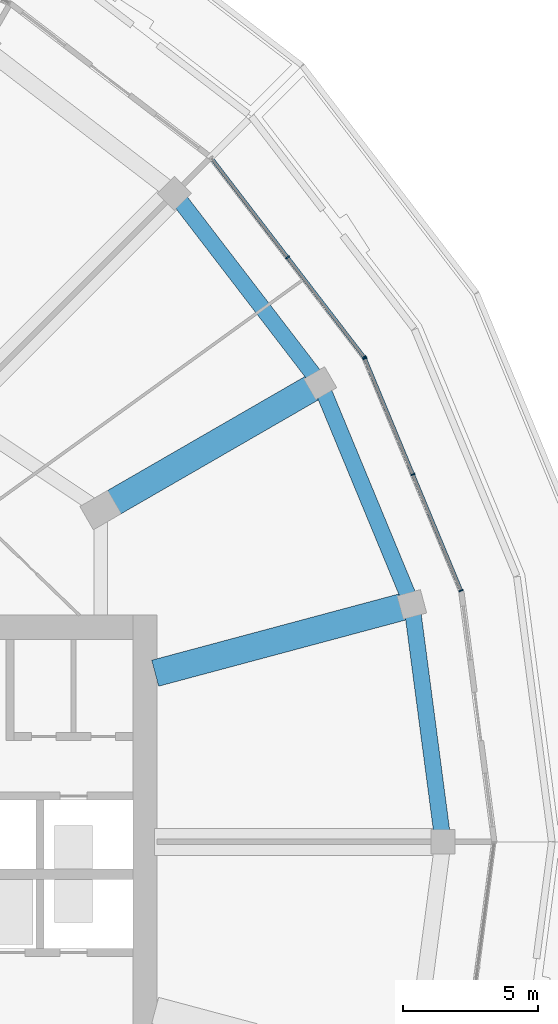
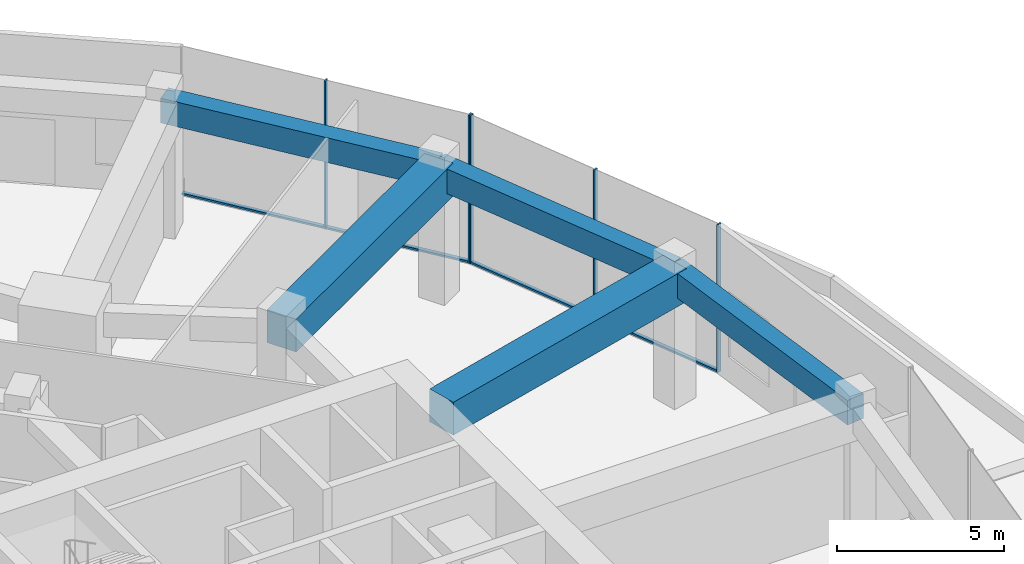
# One storey, part 11 of 26: 9 members, 5 beams, 2 elements without a shape of their own.
"""IFC4 building model written with IfcOpenShell, lengths in metres."""

from ifc_helpers import new_model, si_unit, direction, frame, origin, origin_2d, place, context, subcontext, project, spatial, rectangle, extrude, material, layer, layer_set, material_profile, profile_set, type_object, element, aggregate, save


model = new_model("IFC4")

# Units and contexts
model_context = context("Model", 3, precision=1e-05, world=origin(), true_north=direction((0.0, 1.0)))
body_context = subcontext(model_context, "Body", "Model", "MODEL_VIEW")
ifc_project = project(units=[si_unit("LENGTHUNIT", "METRE"), si_unit("AREAUNIT", "SQUARE_METRE"), si_unit("VOLUMEUNIT", "CUBIC_METRE"), si_unit("PLANEANGLEUNIT", "RADIAN"), si_unit("MASSUNIT", "GRAM", prefix="KILO")], contexts=[model_context])

# Site, building, storey
site_placement = place(None, origin())
site = spatial("IfcSite", under=ifc_project, at=site_placement, CompositionType="ELEMENT")
building_placement = place(site_placement, origin())
building = spatial("IfcBuilding", under=site, at=building_placement, Name="Torre Brocal", CompositionType="ELEMENT")
storey_placement = place(building_placement, frame((0.0, 0.0, 12.39990234375)))
storey = spatial("IfcBuildingStorey", under=building, at=storey_placement, Name="L02", CompositionType="ELEMENT", Elevation=12.39990234375)

# Curtain wall, members
ifc_material_1 = material(Name="Aluminium and glass", Category="aluminium")
ifc_layer = layer(ifc_material_1, 0.199951171875)
ifc_layer_set = layer_set([ifc_layer], Name="Aluminium and glass")
curtain_wall_type = type_object("IfcCurtainWallType", Name="CW-6 CURTAIN WALL 5400 HIGH", PredefinedType="NOTDEFINED", material=ifc_layer_set)
curtain_wall_1_placement = place(storey_placement, origin())
curtain_wall_1 = element("IfcCurtainWall", 1, at=curtain_wall_1_placement, inside=storey, type_object=curtain_wall_type, Name="CW-6 RUN 2", PredefinedType="NOTDEFINED")
ifc_material_2 = material(Name="Aluminium, dark anodised", Category="aluminium")
ifc_material_profile_1 = material_profile(ifc_material_2, rectangle(XDim=0.159912109375, YDim=0.050048828125, at=origin_2d()), Name="CW-6 MULLION 50X160")
ifc_profile_set_1 = profile_set([ifc_material_profile_1], Name="Aluminium, dark anodised")
member_type_1 = type_object("IfcMemberType", Name="CW-6 MULLION 50X160", PredefinedType="MULLION", material=ifc_profile_set_1)
member_1_placement = place(storey_placement, frame((114.666259765625, 84.314453125, 0.0), z_axis=(0.0, 0.0, 1.0), x_axis=(-0.923879532525, -0.382683432333, 0.0)))
member_1 = element("IfcMember", 2, at=member_1_placement, type_object=member_type_1, Name="CW6-1 mullion 1", PredefinedType="MULLION", context=body_context, shape_type="SweptSolid", body=[
    extrude(rectangle(XDim=0.159912109375, YDim=0.050048828125, at=origin_2d()), origin(), (0.0, 0.0, 1.0), 5.400146484375),
])
member_2_placement = place(storey_placement, frame((112.8828125, 88.620361328125, 0.0), z_axis=(0.0, 0.0, 1.0), x_axis=(-0.923879532525, -0.382683432333, 0.0)))
member_2 = element("IfcMember", 3, at=member_2_placement, type_object=member_type_1, Name="CW6-1 mullion 2", PredefinedType="MULLION", context=body_context, shape_type="SweptSolid", body=[
    extrude(rectangle(XDim=0.159912109375, YDim=0.050048828125, at=origin_2d()), origin(), (0.0, 0.0, 1.0), 5.400146484375),
])
member_3_placement = place(storey_placement, frame((111.09912109375, 92.926513671875, 0.0), z_axis=(0.0, 0.0, 1.0), x_axis=(-0.923879532525, -0.382683432333, 0.0)))
member_3 = element("IfcMember", 4, at=member_3_placement, type_object=member_type_1, Name="CW6-1 mullion 3", PredefinedType="MULLION", context=body_context, shape_type="SweptSolid", body=[
    extrude(rectangle(XDim=0.159912109375, YDim=0.050048828125, at=origin_2d()), origin(), (0.0, 0.0, 1.0), 5.400146484375),
])

curtain_wall_2_placement = place(storey_placement, origin())
curtain_wall_2 = element("IfcCurtainWall", 5, at=curtain_wall_2_placement, inside=storey, type_object=curtain_wall_type, Name="CW-6 RUN 3", PredefinedType="NOTDEFINED")
member_4_placement = place(storey_placement, frame((111.074462890625, 92.969482421875, 0.0), z_axis=(0.0, 0.0, 1.0), x_axis=(-0.793353340291, -0.608761429009, 0.0)))
member_4 = element("IfcMember", 6, at=member_4_placement, type_object=member_type_1, Name="CW6-1 mullion 1", PredefinedType="MULLION", context=body_context, shape_type="SweptSolid", body=[
    extrude(rectangle(XDim=0.159912109375, YDim=0.050048828125, at=origin_2d()), origin(), (0.0, 0.0, 1.0), 5.400146484375),
])
member_5_placement = place(storey_placement, frame((108.237060546875, 96.6669921875, 0.0), z_axis=(0.0, 0.0, 1.0), x_axis=(-0.793353340291, -0.608761429009, 0.0)))
member_5 = element("IfcMember", 7, at=member_5_placement, type_object=member_type_1, Name="CW6-1 mullion 2", PredefinedType="MULLION", context=body_context, shape_type="SweptSolid", body=[
    extrude(rectangle(XDim=0.159912109375, YDim=0.050048828125, at=origin_2d()), origin(), (0.0, 0.0, 1.0), 5.400146484375),
])

# Member
ifc_material_3 = material(Name="Aluminium, dark anodised", Category="aluminium")
ifc_material_profile_2 = material_profile(ifc_material_3, rectangle(XDim=0.1298828125, YDim=0.070068359375, at=origin_2d()), Name="CW-6 TRANSOM 130X70")
ifc_profile_set_2 = profile_set([ifc_material_profile_2], Name="Aluminium, dark anodised")
member_type_2 = type_object("IfcMemberType", Name="CW-6 TRANSOM 130X70", PredefinedType="USERDEFINED", material=ifc_profile_set_2)
member_6_placement = place(storey_placement, frame((114.65673828125, 84.337646484375, 0.03515625), z_axis=(-0.382674472816, 0.923883243627, 0.0), x_axis=(-0.923883243627, -0.382674472816, 0.0)))
member_6 = element("IfcMember", 8, at=member_6_placement, type_object=member_type_2, Name="CW6-1 transom 1.1", ObjectType="TRANSOM", PredefinedType="USERDEFINED", context=body_context, shape_type="SweptSolid", body=[
    extrude(rectangle(XDim=0.1298828125, YDim=0.070068359375, at=origin_2d()), origin(), (0.0, 0.0, 1.0), 4.61083984375),
])

member_7_placement = place(storey_placement, frame((112.873046875, 88.6435546875, 0.03515625), z_axis=(-0.382674472816, 0.923883243627, 0.0), x_axis=(-0.923883243627, -0.382674472816, 0.0)))
member_7 = element("IfcMember", 9, at=member_7_placement, type_object=member_type_2, Name="CW6-1 transom 2.1", ObjectType="TRANSOM", PredefinedType="USERDEFINED", context=body_context, shape_type="SweptSolid", body=[
    extrude(rectangle(XDim=0.1298828125, YDim=0.070068359375, at=origin_2d()), origin(), (0.0, 0.0, 1.0), 4.61083984375),
])

aggregate(curtain_wall_1, [member_1, member_2, member_3, member_6, member_7])

member_8_placement = place(storey_placement, frame((111.05908203125, 92.9892578125, 0.03515625), z_axis=(-0.608766086116, 0.793349766746, 0.0), x_axis=(-0.793349766746, -0.608766086116, 0.0)))
member_8 = element("IfcMember", 10, at=member_8_placement, type_object=member_type_2, Name="CW6-1 transom 1.1", ObjectType="TRANSOM", PredefinedType="USERDEFINED", context=body_context, shape_type="SweptSolid", body=[
    extrude(rectangle(XDim=0.1298828125, YDim=0.070068359375, at=origin_2d()), origin(), (0.0, 0.0, 1.0), 4.61083984375),
])

member_9_placement = place(storey_placement, frame((108.221923828125, 96.686767578125, 0.03515625), z_axis=(-0.60874051391, 0.793369388573, 0.0), x_axis=(-0.793369388573, -0.60874051391, 0.0)))
member_9 = element("IfcMember", 11, at=member_9_placement, type_object=member_type_2, Name="CW6-1 transom 2.1", ObjectType="TRANSOM", PredefinedType="USERDEFINED", context=body_context, shape_type="SweptSolid", body=[
    extrude(rectangle(XDim=0.1298828125, YDim=0.070068359375, at=origin_2d()), origin(), (0.0, 0.0, 1.0), 4.611083984375),
])

aggregate(curtain_wall_2, [member_4, member_5, member_8, member_9])

# Beams
ifc_material_4 = material(Name="Concrete C50", Category="concrete")
ifc_material_profile_3 = material_profile(ifc_material_4, rectangle(XDim=0.60009765625, YDim=0.89990234375, at=origin_2d()), Name="RC 600X900")
ifc_profile_set_3 = profile_set([ifc_material_profile_3], Name="Concrete C50")
beam_type_1 = type_object("IfcBeamType", Name="RC BEAM 600X900 C50 TOP 4950", PredefinedType="BEAM", material=ifc_profile_set_3)
beam_1_placement = place(storey_placement, frame((114.0, 75.0, 4.5), z_axis=(-0.130518550679, 0.991445867372, 0.0), x_axis=(-0.991445867372, -0.130518550679, 0.0)))
element("IfcBeam", 12, at=beam_1_placement, inside=storey, type_object=beam_type_1, Name="Beam BT-10", PredefinedType="BEAM", context=body_context, shape_type="SweptSolid", body=[
    extrude(rectangle(XDim=0.60009765625, YDim=0.89990234375, at=origin_2d()), origin(), (0.0, 0.0, 1.0), 8.875732421875),
])
beam_2_placement = place(storey_placement, frame((112.841552734375, 83.7998046875, 4.5), z_axis=(-0.382692703012, 0.923875692429, 0.0), x_axis=(-0.923875692429, -0.382692703012, 0.0)))
element("IfcBeam", 13, at=beam_2_placement, inside=storey, type_object=beam_type_1, Name="Beam BT-10", PredefinedType="BEAM", context=body_context, shape_type="SweptSolid", body=[
    extrude(rectangle(XDim=0.60009765625, YDim=0.89990234375, at=origin_2d()), origin(), (0.0, 0.0, 1.0), 8.8759765625),
])
beam_3_placement = place(storey_placement, frame((109.44482421875, 92.0, 4.5), z_axis=(-0.608743902882, 0.793366788253, 0.0), x_axis=(-0.793366788253, -0.608743902882, 0.0)))
element("IfcBeam", 14, at=beam_3_placement, inside=storey, type_object=beam_type_1, Name="Beam BT-10", PredefinedType="BEAM", context=body_context, shape_type="SweptSolid", body=[
    extrude(rectangle(XDim=0.60009765625, YDim=0.89990234375, at=origin_2d()), origin(), (0.0, 0.0, 1.0), 8.875732421875),
])
ifc_material_5 = material(Name="Concrete C60", Category="concrete")
ifc_material_profile_4 = material_profile(ifc_material_5, rectangle(XDim=1.0, YDim=1.199951171875, at=origin_2d()), Name="RC 1000X1200")
ifc_profile_set_4 = profile_set([ifc_material_profile_4], Name="Concrete C60")
beam_type_2 = type_object("IfcBeamType", Name="RC TRANSFER GIRDER 1000X1200 C60 TOP 4950", PredefinedType="BEAM", material=ifc_profile_set_4)
beam_4_placement = place(storey_placement, frame((101.30419921875, 87.300048828125, 4.35009765625), z_axis=(0.866027286158, 0.499996739618, 0.0), x_axis=(-0.499996739618, 0.866027286158, 0.0)))
element("IfcBeam", 15, at=beam_4_placement, inside=storey, type_object=beam_type_2, Name="Beam TG-03", PredefinedType="BEAM", context=body_context, shape_type="SweptSolid", body=[
    extrude(rectangle(XDim=1.0, YDim=1.199951171875, at=origin_2d()), origin(), (0.0, 0.0, 1.0), 9.39990234375),
])
beam_5_placement = place(storey_placement, frame((103.3271484375, 81.25048828125, 4.35009765625), z_axis=(0.965927362857, 0.258813310486, 0.0), x_axis=(-0.258813310486, 0.965927362857, 0.0)))
element("IfcBeam", 16, at=beam_5_placement, inside=storey, type_object=beam_type_2, Name="Beam TG-03", PredefinedType="BEAM", context=body_context, shape_type="SweptSolid", body=[
    extrude(rectangle(XDim=1.0, YDim=1.199951171875, at=origin_2d()), origin(), (0.0, 0.0, 1.0), 9.85009765625),
])

save(model, "model.ifc")
